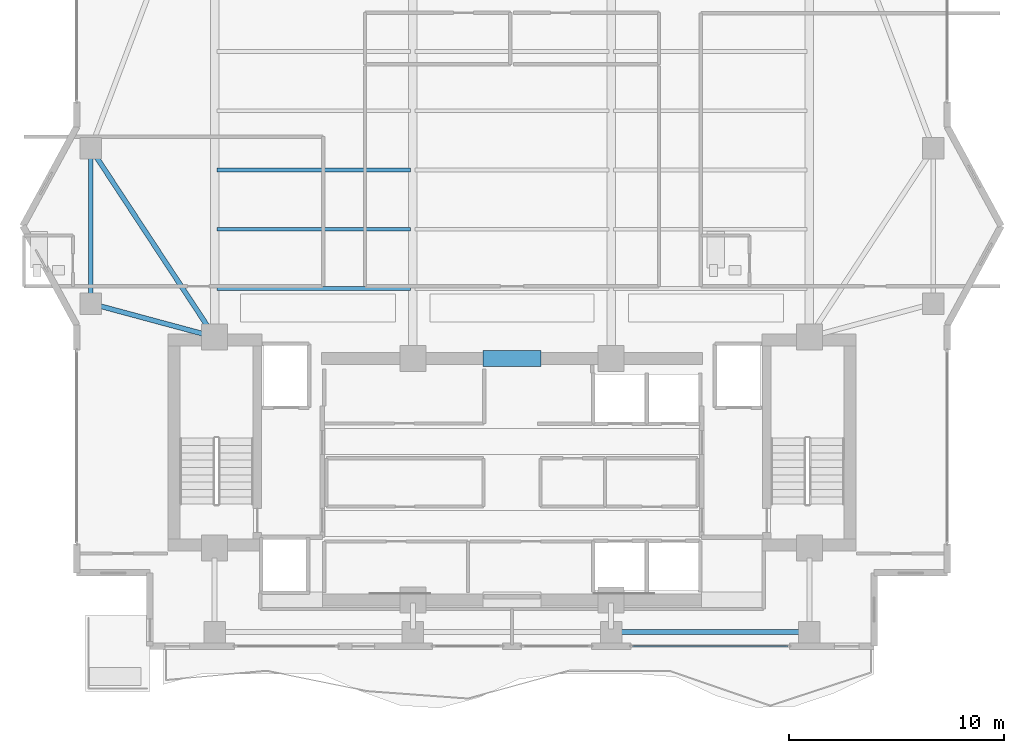
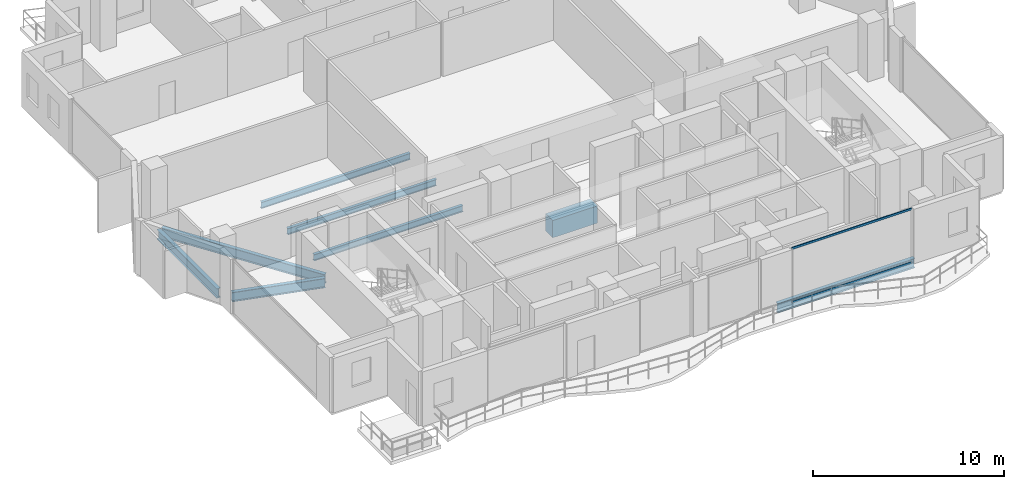
# One storey, part 5 of 26: 8 beams, 2 members, 1 element without a shape of its own.
"""IFC4 building model written with IfcOpenShell, lengths in metres."""

from ifc_helpers import new_model, si_unit, direction, frame, origin, origin_2d, place, context, subcontext, project, spatial, rectangle, hollow_rectangle, i_section, extrude, material, layer, layer_set, material_profile, profile_set, type_object, element, aggregate, save


model = new_model("IFC4")

# Units and contexts
model_context = context("Model", 3, precision=1e-05, world=origin(), true_north=direction((0.0, 1.0)))
body_context = subcontext(model_context, "Body", "Model", "MODEL_VIEW")
ifc_project = project(units=[si_unit("LENGTHUNIT", "METRE"), si_unit("AREAUNIT", "SQUARE_METRE"), si_unit("VOLUMEUNIT", "CUBIC_METRE"), si_unit("PLANEANGLEUNIT", "RADIAN"), si_unit("MASSUNIT", "GRAM", prefix="KILO")], contexts=[model_context])

# Site, building, storey
site_placement = place(None, origin())
site = spatial("IfcSite", under=ifc_project, at=site_placement, CompositionType="ELEMENT")
building_placement = place(site_placement, origin())
building = spatial("IfcBuilding", under=site, at=building_placement, Name="Zuhayl Quay Hotel", CompositionType="ELEMENT")
storey_placement = place(building_placement, frame((0.0, 0.0, 247.050048828125)))
storey = spatial("IfcBuildingStorey", under=building, at=storey_placement, Name="L62", CompositionType="ELEMENT", Elevation=247.050048828125)

# Beams
ifc_material_1 = material(Name="Steel ASTM A992 Grade 50", Category="steel")
ifc_material_profile_1 = material_profile(ifc_material_1, i_section(OverallWidth=0.22802734375, OverallDepth=0.60693359375, WebThickness=0.01123046875, FlangeThickness=0.017333984375, at=origin_2d()), Name="W24X76")
ifc_profile_set_1 = profile_set([ifc_material_profile_1], Name="Steel ASTM A992 Grade 50")
beam_type_1 = type_object("IfcBeamType", Name="BM_B3_W24X76", PredefinedType="BEAM", material=ifc_profile_set_1)
beam_1_placement = place(storey_placement, frame((5.06005859375, 0.64990234375, -0.5234375), z_axis=(1.0, 0.0, 0.0), x_axis=(0.0, 1.0, 0.0)))
element("IfcBeam", 1, at=beam_1_placement, inside=storey, type_object=beam_type_1, Name="L62 Floor Beam RG_L62_03", PredefinedType="BEAM", context=body_context, shape_type="SweptSolid", body=[
    extrude(i_section(OverallWidth=0.22802734375, OverallDepth=0.60693359375, WebThickness=0.01123046875, FlangeThickness=0.017333984375, at=origin_2d()), origin(), (0.0, 0.0, 1.0), 8.280029296875),
])
beam_2_placement = place(storey_placement, frame((-19.550048828125, 22.639892578125, -0.5234375), z_axis=(0.0, -1.0, 0.0), x_axis=(1.0, 0.0, 0.0)))
element("IfcBeam", 2, at=beam_2_placement, inside=storey, type_object=beam_type_1, Name="L62 Floor Beam RG_L62_11", PredefinedType="BEAM", context=body_context, shape_type="SweptSolid", body=[
    extrude(i_section(OverallWidth=0.22802734375, OverallDepth=0.60693359375, WebThickness=0.01123046875, FlangeThickness=0.017333984375, at=origin_2d()), origin(), (0.0, 0.0, 1.0), 6.27978515625),
])
beam_3_placement = place(storey_placement, frame((-19.10595703125, 15.7802734375, -0.5234375), z_axis=(0.965530205773, -0.26029103277, 0.0), x_axis=(0.26029103277, 0.965530205773, 0.0)))
element("IfcBeam", 3, at=beam_3_placement, inside=storey, type_object=beam_type_1, Name="L62 Floor Beam FG_W_L62_1", PredefinedType="BEAM", context=body_context, shape_type="SweptSolid", body=[
    extrude(i_section(OverallWidth=0.22802734375, OverallDepth=0.60693359375, WebThickness=0.01123046875, FlangeThickness=0.017333984375, at=origin_2d()), origin(), (0.0, 0.0, 1.0), 5.045166015625),
])
beam_4_placement = place(storey_placement, frame((-19.29736328125, 22.715576171875, -0.5234375), z_axis=(0.549177886661, -0.835705479701, 0.0), x_axis=(0.835705479701, 0.549177886661, 0.0)))
element("IfcBeam", 4, at=beam_4_placement, inside=storey, type_object=beam_type_1, Name="L62 Floor Beam FG_W_L62_2", PredefinedType="BEAM", context=body_context, shape_type="SweptSolid", body=[
    extrude(i_section(OverallWidth=0.22802734375, OverallDepth=0.60693359375, WebThickness=0.01123046875, FlangeThickness=0.017333984375, at=origin_2d()), origin(), (0.0, 0.0, 1.0), 9.560302734375),
])
ifc_material_2 = material(Name="Concrete C60/75", Category="concrete")
ifc_material_profile_2 = material_profile(ifc_material_2, rectangle(XDim=0.75, YDim=1.10009765625, at=origin_2d()), Name="RC750X1100")
ifc_profile_set_2 = profile_set([ifc_material_profile_2], Name="Concrete C60/75")
beam_type_2 = type_object("IfcBeamType", Name="BM_CB2_RC750", PredefinedType="T_BEAM", material=ifc_profile_set_2)
beam_5_placement = place(storey_placement, frame((-1.35009765625, 13.35009765625, -0.77001953125), z_axis=(1.0, 0.0, 0.0), x_axis=(0.0, 1.0, 0.0)))
element("IfcBeam", 5, at=beam_5_placement, inside=storey, type_object=beam_type_2, Name="L62 Core Coupling Beam North", PredefinedType="T_BEAM", context=body_context, shape_type="SweptSolid", body=[
    extrude(rectangle(XDim=0.75, YDim=1.10009765625, at=origin_2d()), origin(), (0.0, 0.0, 1.0), 2.7001953125),
])
ifc_material_profile_3 = material_profile(ifc_material_1, i_section(OverallWidth=0.177978515625, OverallDepth=0.404052734375, WebThickness=0.007568359375, FlangeThickness=0.010986328125, at=origin_2d()), Name="W16X36")
ifc_profile_set_3 = profile_set([ifc_material_profile_3], Name="Steel ASTM A992 Grade 50")
beam_type_3 = type_object("IfcBeamType", Name="BM_J3_W16X36", PredefinedType="JOIST", material=ifc_profile_set_3)
for number, where, z_axis, x_axis, name in (
    (6, (-13.694091796875, 16.60009765625, -0.422119140625), (1.0, 0.0, 0.0), (0.0, 1.0, 0.0), "L62 Floor Beam FJ_L62_1_1"),
    (7, (-13.694091796875, 19.35009765625, -0.422119140625), (1.0, 0.0, 0.0), (0.0, 1.0, 0.0), "L62 Floor Beam FJ_L62_2_1"),
    (8, (-13.694091796875, 22.10009765625, -0.422119140625), (1.0, 0.0, 0.0), (0.0, 1.0, 0.0), "L62 Floor Beam FJ_L62_3_1"),
):
    element("IfcBeam", number, at=place(storey_placement, frame(where, z_axis=z_axis, x_axis=x_axis)), inside=storey, type_object=beam_type_3, Name=name, PredefinedType="JOIST", context=body_context, shape_type="SweptSolid", body=[
        extrude(i_section(OverallWidth=0.177978515625, OverallDepth=0.404052734375, WebThickness=0.007568359375, FlangeThickness=0.010986328125, at=origin_2d()), origin(), (0.0, 0.0, 1.0), 8.988037109375),
    ])

# Curtain wall, members
ifc_material_3 = material(Name="Anodised Aluminium 6063-T6", Category="aluminium")
ifc_layer = layer(ifc_material_3, 0.169921875, Name="Anodised Aluminium 6063-T6", Category="aluminium")
ifc_layer_set = layer_set([ifc_layer], Name="Anodised Aluminium 6063-T6")
curtain_wall_type = type_object("IfcCurtainWallType", Name="CW_SYS_Z4", PredefinedType="USERDEFINED", material=ifc_layer_set)
curtain_wall_placement = place(storey_placement, origin())
curtain_wall = element("IfcCurtainWall", 9, at=curtain_wall_placement, inside=storey, type_object=curtain_wall_type, Name="L62 Curtain Wall ENV_L62_S_CW1", ObjectType="UNITISED CURTAIN WALL", PredefinedType="USERDEFINED")
ifc_material_4 = material(Name="Black-anodised aluminium 6063-T6", Category="aluminium")
ifc_material_profile_4 = material_profile(ifc_material_4, hollow_rectangle(XDim=0.054931640625, YDim=0.1298828125, WallThickness=0.0029296875, at=origin_2d()), Name="ALU130X55")
ifc_profile_set_4 = profile_set([ifc_material_profile_4], Name="Black-anodised aluminium 6063-T6")
member_type = type_object("IfcMemberType", Name="MB_CW_TRN_130", PredefinedType="USERDEFINED", material=ifc_profile_set_4)
member_1_placement = place(storey_placement, frame((12.81494140625, 0.0, 0.02734375), z_axis=(-1.0, 0.0, 0.0), x_axis=(0.0, -1.0, 0.0)))
member_1 = element("IfcMember", 10, at=member_1_placement, type_object=member_type, Name="CW-Z4 transom 1.1", ObjectType="TRANSOM", PredefinedType="USERDEFINED", context=body_context, shape_type="SweptSolid", body=[
    extrude(hollow_rectangle(XDim=0.054931640625, YDim=0.1298828125, WallThickness=0.0029296875, at=origin_2d()), origin(), (0.0, 0.0, 1.0), 7.22998046875),
])
member_2_placement = place(storey_placement, frame((12.81494140625, 0.0, 3.452392578125), z_axis=(-1.0, 0.0, 0.0), x_axis=(0.0, -1.0, 0.0)))
member_2 = element("IfcMember", 11, at=member_2_placement, type_object=member_type, Name="CW-Z4 transom 1.2", ObjectType="TRANSOM", PredefinedType="USERDEFINED", context=body_context, shape_type="SweptSolid", body=[
    extrude(hollow_rectangle(XDim=0.054931640625, YDim=0.1298828125, WallThickness=0.0029296875, at=origin_2d()), origin(), (0.0, 0.0, 1.0), 7.22998046875),
])
aggregate(curtain_wall, [member_1, member_2])

save(model, "model.ifc")
